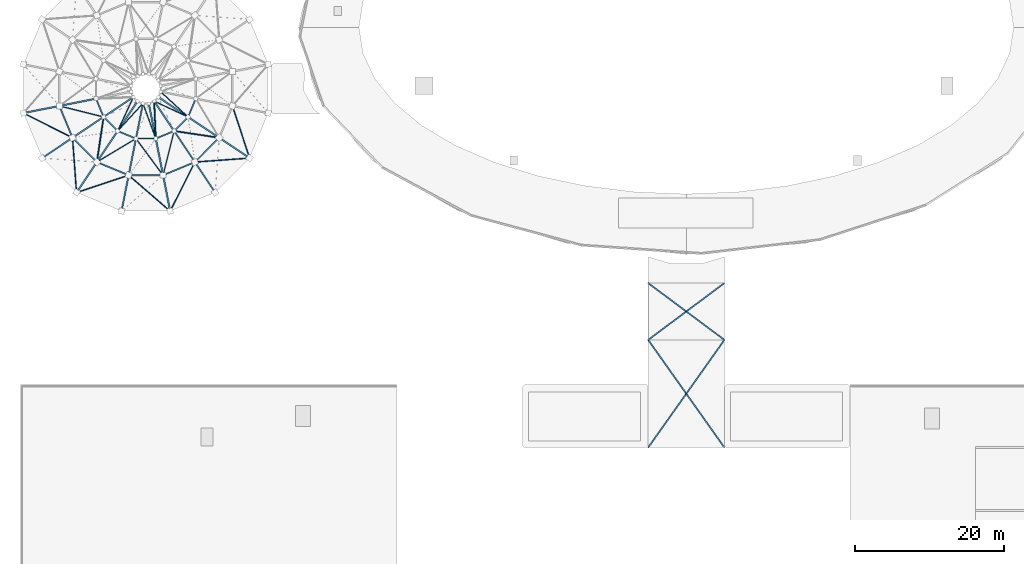
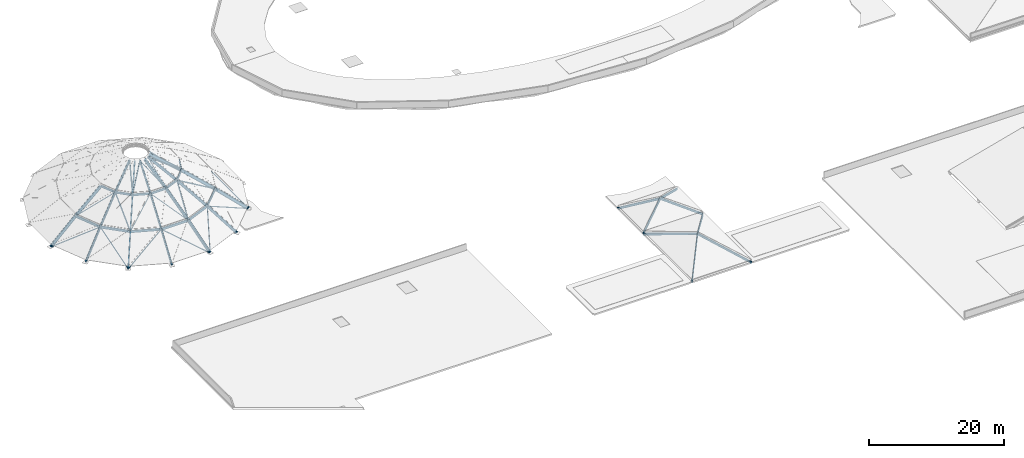
# One storey, part 1 of 11: 47 members, 13 beams.
"""IFC4 building model written with IfcOpenShell, lengths in metres."""

from ifc_helpers import new_model, si_unit, direction, frame, origin, origin_2d, place, context, subcontext, project, spatial, hollow_circle, i_section, extrude, material, material_profile, profile_set, type_object, element, save


model = new_model("IFC4")

# Units and contexts
model_context = context("Model", 3, precision=1e-05, world=origin(), true_north=direction((0.0, 1.0)))
body_context = subcontext(model_context, "Body", "Model", "MODEL_VIEW")
ifc_project = project(units=[si_unit("LENGTHUNIT", "METRE"), si_unit("AREAUNIT", "SQUARE_METRE"), si_unit("VOLUMEUNIT", "CUBIC_METRE"), si_unit("PLANEANGLEUNIT", "RADIAN"), si_unit("MASSUNIT", "GRAM", prefix="KILO"), si_unit("THERMODYNAMICTEMPERATUREUNIT", "KELVIN"), si_unit("POWERUNIT", "WATT")], contexts=[model_context])

# Site, building, storey
site_placement = place(None, origin())
site = spatial("IfcSite", under=ifc_project, at=site_placement, CompositionType="ELEMENT")
building_placement = place(site_placement, origin())
building = spatial("IfcBuilding", under=site, at=building_placement, Name="Darbajah Civic Hall", CompositionType="ELEMENT")
storey_placement = place(building_placement, frame((0.0, 0.0, 30.60009765625)))
storey = spatial("IfcBuildingStorey", under=building, at=storey_placement, Name="ROOF", CompositionType="ELEMENT", Elevation=30.60009765625)

# Members
ifc_material = material(Name="Steel S355JR", Category="steel")
ifc_material_profile_1 = material_profile(ifc_material, hollow_circle(Radius=0.06982421875, WallThickness=0.00634765625, at=origin_2d()), Name="CHS 139.7x6.3")
ifc_profile_set_1 = profile_set([ifc_material_profile_1], Name="Steel S355JR")
member_type_1 = type_object("IfcMemberType", Name="CHS 139.7x6.3", PredefinedType="BRACE", material=ifc_profile_set_1)
member_1_placement = place(storey_placement, frame((5.252685546875, 79.29150390625, -9.2744140625), z_axis=(0.863413874367, -0.215269668173, 0.456262480941), x_axis=(0.24191809863, 0.970296672959, 0.0)))
element("IfcMember", 1, at=member_1_placement, inside=storey, type_object=member_type_1, Name="Council Chamber dome diagonal brace bay 5", PredefinedType="BRACE", context=body_context, shape_type="SweptSolid", body=[
    extrude(hollow_circle(Radius=0.06982421875, WallThickness=0.00634765625, at=origin_2d()), origin(), (0.0, 0.0, 1.0), 6.795654296875),
])
member_2_placement = place(storey_placement, frame((10.248291015625, 71.815185546875, -9.2744140625), z_axis=(0.131528478085, 0.880065992673, 0.456271967135), x_axis=(-0.989015578456, 0.147811317469, 0.0)))
element("IfcMember", 2, at=member_2_placement, inside=storey, type_object=member_type_1, Name="Council Chamber dome diagonal brace bay 5", PredefinedType="BRACE", context=body_context, shape_type="SweptSolid", body=[
    extrude(hollow_circle(Radius=0.06982421875, WallThickness=0.00634765625, at=origin_2d()), origin(), (0.0, 0.0, 1.0), 6.79541015625),
])
for number, where, z_axis, x_axis, name in (
    (3, (10.26708984375, 71.802490234375, -9.2744140625), (0.76274514699, 0.458308126803, 0.456260344156), (-0.515041877714, 0.857165015736, 0.0), "Council Chamber dome diagonal brace bay 6"),
    (4, (19.086181640625, 70.048095703125, -9.2744140625), (-0.529293553105, 0.71531690327, 0.456256575337), (-0.80386390598, -0.594813265371, 0.0), "Council Chamber dome diagonal brace bay 6"),
):
    element("IfcMember", number, at=place(storey_placement, frame(where, z_axis=z_axis, x_axis=x_axis)), inside=storey, type_object=member_type_1, Name=name, PredefinedType="BRACE", context=body_context, shape_type="SweptSolid", body=[
        extrude(hollow_circle(Radius=0.06982421875, WallThickness=0.00634765625, at=origin_2d()), origin(), (0.0, 0.0, 1.0), 6.795654296875),
    ])
member_3_placement = place(storey_placement, frame((19.108642578125, 70.052490234375, -9.2744140625), z_axis=(0.215228730099, 0.863429694408, 0.456251856494), x_axis=(-0.970308511252, 0.241870612088, 0.0)))
element("IfcMember", 5, at=member_3_placement, inside=storey, type_object=member_type_1, Name="Council Chamber dome diagonal brace bay 7", PredefinedType="BRACE", context=body_context, shape_type="SweptSolid", body=[
    extrude(hollow_circle(Radius=0.06982421875, WallThickness=0.00634765625, at=origin_2d()), origin(), (0.0, 0.0, 1.0), 6.7958984375),
])
member_4_placement = place(storey_placement, frame((26.5849609375, 75.048095703125, -9.2744140625), z_axis=(-0.88006993424, 0.131559623594, 0.456255384939), x_axis=(-0.14784490604, -0.989010557961, 0.0)))
element("IfcMember", 6, at=member_4_placement, inside=storey, type_object=member_type_1, Name="Council Chamber dome diagonal brace bay 7", PredefinedType="BRACE", context=body_context, shape_type="SweptSolid", body=[
    extrude(hollow_circle(Radius=0.06982421875, WallThickness=0.00634765625, at=origin_2d()), origin(), (0.0, 0.0, 1.0), 6.795654296875),
])
for number, where, z_axis, x_axis, name in (
    (7, (13.033203125, 75.9697265625, -6.1455078125), (0.369687375159, 0.79410331764, 0.482422186016), (-0.906573941199, 0.422047022427, 0.0), "Council Chamber dome diagonal brace bay 5"),
    (8, (13.039794921875, 75.96533203125, -6.1455078125), (0.592195623062, 0.645416029359, 0.482433926121), (-0.736833179846, 0.676074600231, 0.0), "Council Chamber dome diagonal brace bay 6"),
    (9, (18.11767578125, 74.955322265625, -6.1455078125), (-0.300124548418, 0.822916584044, 0.482424658514), (-0.939469555265, -0.342632390078, 0.0), "Council Chamber dome diagonal brace bay 6"),
    (10, (18.12548828125, 74.95703125, -6.1455078125), (-0.03769429995, 0.875120183389, 0.48243528517), (-0.999073634935, -0.043033382137, 0.0), "Council Chamber dome diagonal brace bay 7"),
    (11, (22.43017578125, 77.833251953125, -6.1455078125), (-0.79410331764, 0.369687375159, 0.482422186016), (-0.422047022427, -0.906573941199, 0.0), "Council Chamber dome diagonal brace bay 7"),
):
    element("IfcMember", number, at=place(storey_placement, frame(where, z_axis=z_axis, x_axis=x_axis)), inside=storey, type_object=member_type_1, Name=name, PredefinedType="BRACE", context=body_context, shape_type="SweptSolid", body=[
        extrude(hollow_circle(Radius=0.06982421875, WallThickness=0.00634765625, at=origin_2d()), origin(), (0.0, 0.0, 1.0), 5.660888671875),
    ])
member_5_placement = place(storey_placement, frame((22.4345703125, 77.83984375, -6.1455078125), z_axis=(-0.645432513593, 0.592167618552, 0.482446247715), x_axis=(-0.676047866937, -0.736857707845, 0.0)))
element("IfcMember", 12, at=member_5_placement, inside=storey, type_object=member_type_1, Name="Council Chamber dome diagonal brace bay 8", PredefinedType="BRACE", context=body_context, shape_type="SweptSolid", body=[
    extrude(hollow_circle(Radius=0.06982421875, WallThickness=0.00634765625, at=origin_2d()), origin(), (0.0, 0.0, 1.0), 5.66064453125),
])
ifc_material_profile_2 = material_profile(ifc_material, hollow_circle(Radius=0.084228515625, WallThickness=0.008056640625, at=origin_2d()), Name="CHS 168.3x8.0")
ifc_profile_set_2 = profile_set([ifc_material_profile_2], Name="Steel S355JR")
member_type_2 = type_object("IfcMemberType", Name="CHS 168.3x8.0", PredefinedType="BRACE", material=ifc_profile_set_2)
for number, where, z_axis, x_axis, name in (
    (13, (0.4443359375, 78.32958984375, -12.587890625), (0.814804177674, -0.409019127009, 0.41084973626), (0.448631949262, 0.893716607265, 0.0), "Council Chamber dome diagonal brace bay 5"),
    (14, (7.51953125, 67.740966796875, -12.587890625), (-0.066085637038, 0.909302973515, 0.410853734233), (-0.997369425277, -0.072486064327, 0.0), "Council Chamber dome diagonal brace bay 5"),
):
    element("IfcMember", number, at=place(storey_placement, frame(where, z_axis=z_axis, x_axis=x_axis)), inside=storey, type_object=member_type_2, Name=name, PredefinedType="BRACE", context=body_context, shape_type="SweptSolid", body=[
        extrude(hollow_circle(Radius=0.084228515625, WallThickness=0.008056640625, at=origin_2d()), origin(), (0.0, 0.0, 1.0), 8.001953125),
    ])
member_6_placement = place(storey_placement, frame((7.547607421875, 67.722412109375, -12.587890625), z_axis=(0.865374032092, 0.286901911845, 0.410871120378), x_axis=(-0.314691211223, 0.949194101108, 0.0)))
element("IfcMember", 15, at=member_6_placement, inside=storey, type_object=member_type_2, Name="Council Chamber dome diagonal brace bay 6", PredefinedType="BRACE", context=body_context, shape_type="SweptSolid", body=[
    extrude(hollow_circle(Radius=0.084228515625, WallThickness=0.008056640625, at=origin_2d()), origin(), (0.0, 0.0, 1.0), 8.00146484375),
])
for number, where, z_axis, x_axis, name in (
    (16, (20.03759765625, 65.23779296875, -12.587890625), (-0.689715843016, 0.596232283652, 0.410851700525), (-0.653977023741, -0.756514409922, 0.0), "Council Chamber dome diagonal brace bay 6"),
    (17, (20.070556640625, 65.244384765625, -12.587890625), (0.409019127009, 0.814804177674, 0.41084973626), (-0.893716607265, 0.448631949262, 0.0), "Council Chamber dome diagonal brace bay 7"),
):
    element("IfcMember", number, at=place(storey_placement, frame(where, z_axis=z_axis, x_axis=x_axis)), inside=storey, type_object=member_type_2, Name=name, PredefinedType="BRACE", context=body_context, shape_type="SweptSolid", body=[
        extrude(hollow_circle(Radius=0.084228515625, WallThickness=0.008056640625, at=origin_2d()), origin(), (0.0, 0.0, 1.0), 8.001953125),
    ])
for number, where, z_axis, x_axis, name in (
    (18, (30.658935546875, 72.319580078125, -12.587890625), (-0.909297689859, -0.066087470513, 0.410865132932), (0.072488483802, -0.997369249434, 0.0), "Council Chamber dome diagonal brace bay 7"),
    (19, (30.677734375, 72.347412109375, -12.587890625), (-0.286922335898, 0.865374118786, 0.410856675372), (-0.949187418716, -0.314711366414, 0.0), "Council Chamber dome diagonal brace bay 8"),
):
    element("IfcMember", number, at=place(storey_placement, frame(where, z_axis=z_axis, x_axis=x_axis)), inside=storey, type_object=member_type_2, Name=name, PredefinedType="BRACE", context=body_context, shape_type="SweptSolid", body=[
        extrude(hollow_circle(Radius=0.084228515625, WallThickness=0.008056640625, at=origin_2d()), origin(), (0.0, 0.0, 1.0), 8.001708984375),
    ])
ifc_material_profile_3 = material_profile(ifc_material, i_section(OverallWidth=0.172119140625, OverallDepth=0.35791015625, WebThickness=0.008056640625, FlangeThickness=0.012939453125, FilletRadius=0.01025390625, at=origin_2d()), Name="UB 356x171x57")
ifc_profile_set_3 = profile_set([ifc_material_profile_3], Name="Steel S355JR")
member_type_3 = type_object("IfcMemberType", Name="Roof Rafter UB 356x171x57", PredefinedType="RAFTER", material=ifc_profile_set_3)
for number, where, z_axis, x_axis, name in (
    (20, (84.0, 48.0, -21.1201171875), (0.753328177312, 0.561299812344, 0.342694000431), (-0.597478902646, 0.801884630663, 0.0), "Lantern hip roof rafter V6-PISH-N-1"),
    (21, (94.199951171875, 48.0, -21.1201171875), (-0.753312580127, 0.561315061021, 0.342703310304), (-0.597497294163, -0.801870926937, 0.0), "Lantern hip roof rafter V6-PISH-N-2"),
    (22, (94.199951171875, 55.60009765625, -21.1201171875), (-0.753312580127, -0.561315061021, 0.342703310304), (0.597497294163, -0.801870926937, 0.0), "Lantern hip roof rafter V6-PISH-N-3"),
    (23, (84.0, 55.60009765625, -21.1201171875), (0.753328177312, -0.561299812344, 0.342694000431), (0.597478902646, 0.801884630663, 0.0), "Lantern hip roof rafter V6-PISH-N-4"),
):
    element("IfcMember", number, at=place(storey_placement, frame(where, z_axis=z_axis, x_axis=x_axis)), inside=storey, type_object=member_type_3, Name=name, PredefinedType="RAFTER", context=body_context, shape_type="SweptSolid", body=[
        extrude(i_section(OverallWidth=0.172119140625, OverallDepth=0.35791015625, WebThickness=0.008056640625, FlangeThickness=0.012939453125, FilletRadius=0.01025390625, at=origin_2d()), origin(), (0.0, 0.0, 1.0), 6.77001953125),
    ])
member_7_placement = place(storey_placement, frame((84.0, 33.60009765625, -21.1201171875), z_axis=(0.554111989659, 0.78225546611, 0.284668734946), x_axis=(-0.816017411583, 0.578027321148, 0.0)))
element("IfcMember", 24, at=member_7_placement, inside=storey, type_object=member_type_3, Name="Lantern hip roof rafter V6-PISH-S-1", PredefinedType="RAFTER", context=body_context, shape_type="SweptSolid", body=[
    extrude(i_section(OverallWidth=0.172119140625, OverallDepth=0.35791015625, WebThickness=0.008056640625, FlangeThickness=0.012939453125, FilletRadius=0.01025390625, at=origin_2d()), origin(), (0.0, 0.0, 1.0), 9.2041015625),
])
for number, where, z_axis, x_axis, name in (
    (25, (94.199951171875, 33.60009765625, -21.1201171875), (-0.554093608336, 0.782266963638, 0.284672918984), (-0.816030463002, -0.578008895651, 0.0), "Lantern hip roof rafter V6-PISH-S-2"),
    (26, (94.199951171875, 48.0, -21.1201171875), (-0.554093608336, -0.782266963638, 0.284672918984), (0.816030463002, -0.578008895651, 0.0), "Lantern hip roof rafter V6-PISH-S-3"),
):
    element("IfcMember", number, at=place(storey_placement, frame(where, z_axis=z_axis, x_axis=x_axis)), inside=storey, type_object=member_type_3, Name=name, PredefinedType="RAFTER", context=body_context, shape_type="SweptSolid", body=[
        extrude(i_section(OverallWidth=0.172119140625, OverallDepth=0.35791015625, WebThickness=0.008056640625, FlangeThickness=0.012939453125, FilletRadius=0.01025390625, at=origin_2d()), origin(), (0.0, 0.0, 1.0), 9.203857421875),
    ])
member_8_placement = place(storey_placement, frame((84.0, 48.0, -21.1201171875), z_axis=(0.554111989659, -0.78225546611, 0.284668734946), x_axis=(0.816017411583, 0.578027321148, 0.0)))
element("IfcMember", 27, at=member_8_placement, inside=storey, type_object=member_type_3, Name="Lantern hip roof rafter V6-PISH-S-4", PredefinedType="RAFTER", context=body_context, shape_type="SweptSolid", body=[
    extrude(i_section(OverallWidth=0.172119140625, OverallDepth=0.35791015625, WebThickness=0.008056640625, FlangeThickness=0.012939453125, FilletRadius=0.01025390625, at=origin_2d()), origin(), (0.0, 0.0, 1.0), 9.2041015625),
])
ifc_material_profile_4 = material_profile(ifc_material, i_section(OverallWidth=0.1904296875, OverallDepth=0.45703125, WebThickness=0.009033203125, FlangeThickness=0.014404296875, FilletRadius=0.01025390625, at=origin_2d()), Name="UB 457x191x74")
ifc_profile_set_4 = profile_set([ifc_material_profile_4], Name="Steel S355JR")
member_type_4 = type_object("IfcMemberType", Name="Roof Rafter UB 457x191x74", PredefinedType="RAFTER", material=ifc_profile_set_4)
member_9_placement = place(storey_placement, frame((2.927490234375, 72.330810546875, -12.5888671875), z_axis=(0.688911356526, 0.460313131635, 0.559922283619), x_axis=(-0.555567963257, 0.831471128905, 0.0)))
element("IfcMember", 28, at=member_9_placement, inside=storey, type_object=member_type_4, Name="Council Chamber dome meridian rib 10.1", PredefinedType="RAFTER", context=body_context, shape_type="SweptSolid", body=[
    extrude(i_section(OverallWidth=0.1904296875, OverallDepth=0.45703125, WebThickness=0.009033203125, FlangeThickness=0.014404296875, FilletRadius=0.01025390625, at=origin_2d()), origin(), (0.0, 0.0, 1.0), 5.875),
])
member_10_placement = place(storey_placement, frame((7.002685546875, 75.0537109375, -9.277587890625), z_axis=(0.704883813729, 0.470992253234, 0.530382038285), x_axis=(-0.555573451512, 0.831467461766, 0.0)))
element("IfcMember", 29, at=member_10_placement, inside=storey, type_object=member_type_4, Name="Council Chamber dome meridian rib 10.2", PredefinedType="RAFTER", context=body_context, shape_type="SweptSolid", body=[
    extrude(i_section(OverallWidth=0.1904296875, OverallDepth=0.45703125, WebThickness=0.009033203125, FlangeThickness=0.014404296875, FilletRadius=0.01025390625, at=origin_2d()), origin(), (0.0, 0.0, 1.0), 5.85791015625),
])
member_11_placement = place(storey_placement, frame((11.160400390625, 77.831787109375, -6.150146484375), z_axis=(0.720827354847, 0.481617488353, 0.49845011728), x_axis=(-0.555551132035, 0.831482374855, 0.0)))
element("IfcMember", 30, at=member_11_placement, inside=storey, type_object=member_type_4, Name="Council Chamber dome meridian rib 10.3", PredefinedType="RAFTER", context=body_context, shape_type="SweptSolid", body=[
    extrude(i_section(OverallWidth=0.1904296875, OverallDepth=0.45703125, WebThickness=0.009033203125, FlangeThickness=0.014404296875, FilletRadius=0.01025390625, at=origin_2d()), origin(), (0.0, 0.0, 1.0), 5.4970703125),
])
member_12_placement = place(storey_placement, frame((13.544921875, 65.236328125, -12.5888671875), z_axis=(0.161651883082, 0.81262276958, 0.559922229472), x_axis=(-0.980782702091, 0.195103283617, 0.0)))
element("IfcMember", 31, at=member_12_placement, inside=storey, type_object=member_type_4, Name="Council Chamber dome meridian rib 12.1", PredefinedType="RAFTER", context=body_context, shape_type="SweptSolid", body=[
    extrude(i_section(OverallWidth=0.1904296875, OverallDepth=0.45703125, WebThickness=0.009033203125, FlangeThickness=0.014404296875, FilletRadius=0.01025390625, at=origin_2d()), origin(), (0.0, 0.0, 1.0), 5.875),
])
member_13_placement = place(storey_placement, frame((14.501220703125, 70.043212890625, -9.277587890625), z_axis=(0.165411412036, 0.831474699301, 0.530366749702), x_axis=(-0.980780583025, 0.195113935844, 0.0)))
element("IfcMember", 32, at=member_13_placement, inside=storey, type_object=member_type_4, Name="Council Chamber dome meridian rib 12.2", PredefinedType="RAFTER", context=body_context, shape_type="SweptSolid", body=[
    extrude(i_section(OverallWidth=0.1904296875, OverallDepth=0.45703125, WebThickness=0.009033203125, FlangeThickness=0.014404296875, FilletRadius=0.01025390625, at=origin_2d()), origin(), (0.0, 0.0, 1.0), 5.858154296875),
])
member_14_placement = place(storey_placement, frame((15.476806640625, 74.94775390625, -6.150146484375), z_axis=(0.169134056058, 0.850245072249, 0.49847466154), x_axis=(-0.980783118211, 0.195101191775, 0.0)))
element("IfcMember", 33, at=member_14_placement, inside=storey, type_object=member_type_4, Name="Council Chamber dome meridian rib 12.3", PredefinedType="RAFTER", context=body_context, shape_type="SweptSolid", body=[
    extrude(i_section(OverallWidth=0.1904296875, OverallDepth=0.45703125, WebThickness=0.009033203125, FlangeThickness=0.014404296875, FilletRadius=0.01025390625, at=origin_2d()), origin(), (0.0, 0.0, 1.0), 5.496826171875),
])
member_15_placement = place(storey_placement, frame((26.0693359375, 67.7275390625, -12.5888671875), z_axis=(-0.460313131635, 0.688911356526, 0.559922283619), x_axis=(-0.831471128905, -0.555567963257, 0.0)))
element("IfcMember", 34, at=member_15_placement, inside=storey, type_object=member_type_4, Name="Council Chamber dome meridian rib 14.1", PredefinedType="RAFTER", context=body_context, shape_type="SweptSolid", body=[
    extrude(i_section(OverallWidth=0.1904296875, OverallDepth=0.45703125, WebThickness=0.009033203125, FlangeThickness=0.014404296875, FilletRadius=0.01025390625, at=origin_2d()), origin(), (0.0, 0.0, 1.0), 5.875),
])
member_16_placement = place(storey_placement, frame((23.34619140625, 71.802734375, -9.277587890625), z_axis=(-0.47095982061, 0.704897650086, 0.530392449299), x_axis=(-0.831490171389, -0.55553946294, 0.0)))
element("IfcMember", 35, at=member_16_placement, inside=storey, type_object=member_type_4, Name="Council Chamber dome meridian rib 14.2", PredefinedType="RAFTER", context=body_context, shape_type="SweptSolid", body=[
    extrude(i_section(OverallWidth=0.1904296875, OverallDepth=0.45703125, WebThickness=0.009033203125, FlangeThickness=0.014404296875, FilletRadius=0.01025390625, at=origin_2d()), origin(), (0.0, 0.0, 1.0), 5.85791015625),
])
member_17_placement = place(storey_placement, frame((20.568359375, 75.96044921875, -6.150146484375), z_axis=(-0.481667017974, 0.720790597943, 0.498455411961), x_axis=(-0.831442895073, -0.555610216099, 0.0)))
element("IfcMember", 36, at=member_17_placement, inside=storey, type_object=member_type_4, Name="Council Chamber dome meridian rib 14.3", PredefinedType="RAFTER", context=body_context, shape_type="SweptSolid", body=[
    extrude(i_section(OverallWidth=0.1904296875, OverallDepth=0.45703125, WebThickness=0.009033203125, FlangeThickness=0.014404296875, FilletRadius=0.01025390625, at=origin_2d()), origin(), (0.0, 0.0, 1.0), 5.4970703125),
])
ifc_material_profile_5 = material_profile(ifc_material, i_section(OverallWidth=0.209228515625, OverallDepth=0.533203125, WebThickness=0.010009765625, FlangeThickness=0.015625, FilletRadius=0.0126953125, at=origin_2d()), Name="UB 533x210x92")
ifc_profile_set_5 = profile_set([ifc_material_profile_5], Name="Steel S355JR")
member_type_5 = type_object("IfcMemberType", Name="Roof Rafter UB 533x210x92", PredefinedType="RAFTER", material=ifc_profile_set_5)
member_18_placement = place(storey_placement, frame((0.436279296875, 78.344970703125, -12.5888671875), z_axis=(0.81262276958, 0.161651883082, 0.559922229472), x_axis=(-0.195103283617, 0.980782702091, 0.0)))
element("IfcMember", 37, at=member_18_placement, inside=storey, type_object=member_type_5, Name="Council Chamber dome meridian rib 9.1", PredefinedType="RAFTER", context=body_context, shape_type="SweptSolid", body=[
    extrude(i_section(OverallWidth=0.209228515625, OverallDepth=0.533203125, WebThickness=0.010009765625, FlangeThickness=0.015625, FilletRadius=0.0126953125, at=origin_2d()), origin(), (0.0, 0.0, 1.0), 5.875),
])
member_19_placement = place(storey_placement, frame((5.243408203125, 79.30126953125, -9.277587890625), z_axis=(0.831467566941, 0.165376606798, 0.530388784807), x_axis=(-0.195076052864, 0.980788118606, 0.0)))
element("IfcMember", 38, at=member_19_placement, inside=storey, type_object=member_type_5, Name="Council Chamber dome meridian rib 9.2", PredefinedType="RAFTER", context=body_context, shape_type="SweptSolid", body=[
    extrude(i_section(OverallWidth=0.209228515625, OverallDepth=0.533203125, WebThickness=0.010009765625, FlangeThickness=0.015625, FilletRadius=0.0126953125, at=origin_2d()), origin(), (0.0, 0.0, 1.0), 5.85791015625),
])
member_20_placement = place(storey_placement, frame((7.53076171875, 67.7275390625, -12.5888671875), z_axis=(0.460313131635, 0.688911356526, 0.559922283619), x_axis=(-0.831471128905, 0.555567963257, 0.0)))
element("IfcMember", 39, at=member_20_placement, inside=storey, type_object=member_type_5, Name="Council Chamber dome meridian rib 11.1", PredefinedType="RAFTER", context=body_context, shape_type="SweptSolid", body=[
    extrude(i_section(OverallWidth=0.209228515625, OverallDepth=0.533203125, WebThickness=0.010009765625, FlangeThickness=0.015625, FilletRadius=0.0126953125, at=origin_2d()), origin(), (0.0, 0.0, 1.0), 5.875),
])
member_21_placement = place(storey_placement, frame((10.253662109375, 71.802734375, -9.277587890625), z_axis=(0.470992253234, 0.704883813729, 0.530382038285), x_axis=(-0.831467461766, 0.555573451512, 0.0)))
element("IfcMember", 40, at=member_21_placement, inside=storey, type_object=member_type_5, Name="Council Chamber dome meridian rib 11.2", PredefinedType="RAFTER", context=body_context, shape_type="SweptSolid", body=[
    extrude(i_section(OverallWidth=0.209228515625, OverallDepth=0.533203125, WebThickness=0.010009765625, FlangeThickness=0.015625, FilletRadius=0.0126953125, at=origin_2d()), origin(), (0.0, 0.0, 1.0), 5.85791015625),
])
member_22_placement = place(storey_placement, frame((13.03173828125, 75.96044921875, -6.150146484375), z_axis=(0.481632907265, 0.720806017336, 0.498466075086), x_axis=(-0.831466561998, 0.555574798096, 0.0)))
element("IfcMember", 41, at=member_22_placement, inside=storey, type_object=member_type_5, Name="Council Chamber dome meridian rib 11.3", PredefinedType="RAFTER", context=body_context, shape_type="SweptSolid", body=[
    extrude(i_section(OverallWidth=0.209228515625, OverallDepth=0.533203125, WebThickness=0.010009765625, FlangeThickness=0.015625, FilletRadius=0.0126953125, at=origin_2d()), origin(), (0.0, 0.0, 1.0), 5.496826171875),
])
member_23_placement = place(storey_placement, frame((20.054931640625, 65.236328125, -12.5888671875), z_axis=(-0.161651883082, 0.81262276958, 0.559922229472), x_axis=(-0.980782702091, -0.195103283617, 0.0)))
element("IfcMember", 42, at=member_23_placement, inside=storey, type_object=member_type_5, Name="Council Chamber dome meridian rib 13.1", PredefinedType="RAFTER", context=body_context, shape_type="SweptSolid", body=[
    extrude(i_section(OverallWidth=0.209228515625, OverallDepth=0.533203125, WebThickness=0.010009765625, FlangeThickness=0.015625, FilletRadius=0.0126953125, at=origin_2d()), origin(), (0.0, 0.0, 1.0), 5.875),
])
member_24_placement = place(storey_placement, frame((19.098876953125, 70.043212890625, -9.277587890625), z_axis=(-0.165411412036, 0.831474699301, 0.530366749702), x_axis=(-0.980780583025, -0.195113935844, 0.0)))
element("IfcMember", 43, at=member_24_placement, inside=storey, type_object=member_type_5, Name="Council Chamber dome meridian rib 13.2", PredefinedType="RAFTER", context=body_context, shape_type="SweptSolid", body=[
    extrude(i_section(OverallWidth=0.209228515625, OverallDepth=0.533203125, WebThickness=0.010009765625, FlangeThickness=0.015625, FilletRadius=0.0126953125, at=origin_2d()), origin(), (0.0, 0.0, 1.0), 5.858154296875),
])
member_25_placement = place(storey_placement, frame((18.123291015625, 74.94775390625, -6.150146484375), z_axis=(-0.169134056058, 0.850245072249, 0.49847466154), x_axis=(-0.980783118211, -0.195101191775, 0.0)))
element("IfcMember", 44, at=member_25_placement, inside=storey, type_object=member_type_5, Name="Council Chamber dome meridian rib 13.3", PredefinedType="RAFTER", context=body_context, shape_type="SweptSolid", body=[
    extrude(i_section(OverallWidth=0.209228515625, OverallDepth=0.533203125, WebThickness=0.010009765625, FlangeThickness=0.015625, FilletRadius=0.0126953125, at=origin_2d()), origin(), (0.0, 0.0, 1.0), 5.496826171875),
])
member_26_placement = place(storey_placement, frame((30.672607421875, 72.330810546875, -12.5888671875), z_axis=(-0.688933189032, 0.460299953852, 0.559906254238), x_axis=(-0.555544795428, -0.831486608595, 0.0)))
element("IfcMember", 45, at=member_26_placement, inside=storey, type_object=member_type_5, Name="Council Chamber dome meridian rib 15.1", PredefinedType="RAFTER", context=body_context, shape_type="SweptSolid", body=[
    extrude(i_section(OverallWidth=0.209228515625, OverallDepth=0.533203125, WebThickness=0.010009765625, FlangeThickness=0.015625, FilletRadius=0.0126953125, at=origin_2d()), origin(), (0.0, 0.0, 1.0), 5.875244140625),
])
member_27_placement = place(storey_placement, frame((26.59716796875, 75.0537109375, -9.277587890625), z_axis=(-0.704883813729, 0.470992253234, 0.530382038285), x_axis=(-0.555573451512, -0.831467461766, 0.0)))
element("IfcMember", 46, at=member_27_placement, inside=storey, type_object=member_type_5, Name="Council Chamber dome meridian rib 15.2", PredefinedType="RAFTER", context=body_context, shape_type="SweptSolid", body=[
    extrude(i_section(OverallWidth=0.209228515625, OverallDepth=0.533203125, WebThickness=0.010009765625, FlangeThickness=0.015625, FilletRadius=0.0126953125, at=origin_2d()), origin(), (0.0, 0.0, 1.0), 5.85791015625),
])
member_28_placement = place(storey_placement, frame((22.439697265625, 77.831787109375, -6.150146484375), z_axis=(-0.720827354847, 0.481617488353, 0.49845011728), x_axis=(-0.555551132035, -0.831482374855, 0.0)))
element("IfcMember", 47, at=member_28_placement, inside=storey, type_object=member_type_5, Name="Council Chamber dome meridian rib 15.3", PredefinedType="RAFTER", context=body_context, shape_type="SweptSolid", body=[
    extrude(i_section(OverallWidth=0.209228515625, OverallDepth=0.533203125, WebThickness=0.010009765625, FlangeThickness=0.015625, FilletRadius=0.0126953125, at=origin_2d()), origin(), (0.0, 0.0, 1.0), 5.4970703125),
])

# Beams
ifc_material_profile_6 = material_profile(ifc_material, i_section(OverallWidth=0.172119140625, OverallDepth=0.35791015625, WebThickness=0.008056640625, FlangeThickness=0.012939453125, FilletRadius=0.01025390625, at=origin_2d()), Name="UB 356x171x57")
ifc_profile_set_6 = profile_set([ifc_material_profile_6], Name="Steel S355JR")
beam_type_1 = type_object("IfcBeamType", Name="UB 356x171x57", PredefinedType="BEAM", material=ifc_profile_set_6)
beam_1_placement = place(storey_placement, frame((10.138427734375, 80.2548828125, -6.16015625), z_axis=(0.38259109052, -0.92391777635, 0.0), x_axis=(0.92391777635, 0.38259109052, 0.0)))
element("IfcBeam", 48, at=beam_1_placement, inside=storey, type_object=beam_type_1, Name="Dome Hoop Ring 2 segment 9", PredefinedType="BEAM", context=body_context, shape_type="SweptSolid", body=[
    extrude(i_section(OverallWidth=0.172119140625, OverallDepth=0.35791015625, WebThickness=0.008056640625, FlangeThickness=0.012939453125, FilletRadius=0.01025390625, at=origin_2d()), origin(), (0.0, 0.0, 1.0), 2.613037109375),
])
beam_2_placement = place(storey_placement, frame((11.16015625, 77.80810546875, -6.16015625), z_axis=(0.707106781187, -0.707106781187, 0.0), x_axis=(0.707106781187, 0.707106781187, 0.0)))
element("IfcBeam", 49, at=beam_2_placement, inside=storey, type_object=beam_type_1, Name="Dome Hoop Ring 2 segment 10", PredefinedType="BEAM", context=body_context, shape_type="SweptSolid", body=[
    extrude(i_section(OverallWidth=0.172119140625, OverallDepth=0.35791015625, WebThickness=0.008056640625, FlangeThickness=0.012939453125, FilletRadius=0.01025390625, at=origin_2d()), origin(), (0.0, 0.0, 1.0), 2.61328125),
])
beam_3_placement = place(storey_placement, frame((13.04052734375, 75.938232421875, -6.16015625), z_axis=(0.92391777635, -0.38259109052, 0.0), x_axis=(0.38259109052, 0.92391777635, 0.0)))
element("IfcBeam", 50, at=beam_3_placement, inside=storey, type_object=beam_type_1, Name="Dome Hoop Ring 2 segment 11", PredefinedType="BEAM", context=body_context, shape_type="SweptSolid", body=[
    extrude(i_section(OverallWidth=0.172119140625, OverallDepth=0.35791015625, WebThickness=0.008056640625, FlangeThickness=0.012939453125, FilletRadius=0.01025390625, at=origin_2d()), origin(), (0.0, 0.0, 1.0), 2.613037109375),
])
beam_4_placement = place(storey_placement, frame((15.493408203125, 74.9306640625, -6.16015625), z_axis=(1.0, 0.0, 0.0), x_axis=(0.0, 1.0, 0.0)))
element("IfcBeam", 51, at=beam_4_placement, inside=storey, type_object=beam_type_1, Name="Dome Hoop Ring 2 segment 12", PredefinedType="BEAM", context=body_context, shape_type="SweptSolid", body=[
    extrude(i_section(OverallWidth=0.172119140625, OverallDepth=0.35791015625, WebThickness=0.008056640625, FlangeThickness=0.012939453125, FilletRadius=0.01025390625, at=origin_2d()), origin(), (0.0, 0.0, 1.0), 2.61328125),
])
beam_5_placement = place(storey_placement, frame((18.14501953125, 74.9384765625, -6.16015625), z_axis=(0.92391777635, 0.38259109052, 0.0), x_axis=(-0.38259109052, 0.92391777635, 0.0)))
element("IfcBeam", 52, at=beam_5_placement, inside=storey, type_object=beam_type_1, Name="Dome Hoop Ring 2 segment 13", PredefinedType="BEAM", context=body_context, shape_type="SweptSolid", body=[
    extrude(i_section(OverallWidth=0.172119140625, OverallDepth=0.35791015625, WebThickness=0.008056640625, FlangeThickness=0.012939453125, FilletRadius=0.01025390625, at=origin_2d()), origin(), (0.0, 0.0, 1.0), 2.613037109375),
])
for number, where, z_axis, x_axis, name in (
    (53, (20.592041015625, 75.960205078125, -6.16015625), (0.707106781187, 0.707106781187, 0.0), (-0.707106781187, 0.707106781187, 0.0), "Dome Hoop Ring 2 segment 14"),
    (54, (22.461669921875, 77.840576171875, -6.16015625), (0.382670839347, 0.92388474861, 0.0), (-0.92388474861, 0.382670839347, 0.0), "Dome Hoop Ring 2 segment 15"),
):
    element("IfcBeam", number, at=place(storey_placement, frame(where, z_axis=z_axis, x_axis=x_axis)), inside=storey, type_object=beam_type_1, Name=name, PredefinedType="BEAM", context=body_context, shape_type="SweptSolid", body=[
        extrude(i_section(OverallWidth=0.172119140625, OverallDepth=0.35791015625, WebThickness=0.008056640625, FlangeThickness=0.012939453125, FilletRadius=0.01025390625, at=origin_2d()), origin(), (0.0, 0.0, 1.0), 2.61328125),
    ])
ifc_material_profile_7 = material_profile(ifc_material, i_section(OverallWidth=0.177978515625, OverallDepth=0.406494140625, WebThickness=0.0078125, FlangeThickness=0.0126953125, FilletRadius=0.01025390625, at=origin_2d()), Name="UB 406x178x60")
ifc_profile_set_7 = profile_set([ifc_material_profile_7], Name="Steel S355JR")
beam_type_2 = type_object("IfcBeamType", Name="UB 406x178x60", PredefinedType="BEAM", material=ifc_profile_set_7)
beam_6_placement = place(storey_placement, frame((5.234375, 79.279296875, -9.2880859375), z_axis=(0.382688800239, -0.923877309047, 0.0), x_axis=(0.923877309047, 0.382688800239, 0.0)))
element("IfcBeam", 55, at=beam_6_placement, inside=storey, type_object=beam_type_2, Name="Dome Hoop Ring 1 segment 9", PredefinedType="BEAM", context=body_context, shape_type="SweptSolid", body=[
    extrude(i_section(OverallWidth=0.177978515625, OverallDepth=0.406494140625, WebThickness=0.0078125, FlangeThickness=0.0126953125, FilletRadius=0.01025390625, at=origin_2d()), origin(), (0.0, 0.0, 1.0), 4.56396484375),
])
beam_7_placement = place(storey_placement, frame((7.002685546875, 75.0302734375, -9.2880859375), z_axis=(0.707106781187, -0.707106781187, 0.0), x_axis=(0.707106781187, 0.707106781187, 0.0)))
element("IfcBeam", 56, at=beam_7_placement, inside=storey, type_object=beam_type_2, Name="Dome Hoop Ring 1 segment 10", PredefinedType="BEAM", context=body_context, shape_type="SweptSolid", body=[
    extrude(i_section(OverallWidth=0.177978515625, OverallDepth=0.406494140625, WebThickness=0.0078125, FlangeThickness=0.0126953125, FilletRadius=0.01025390625, at=origin_2d()), origin(), (0.0, 0.0, 1.0), 4.564453125),
])
for number, where, z_axis, x_axis, name in (
    (57, (10.2626953125, 71.781005859375, -9.2880859375), (0.923885142552, -0.382669888248, 0.0), (0.382669888248, 0.923885142552, 0.0), "Dome Hoop Ring 1 segment 11"),
    (58, (14.517822265625, 70.026611328125, -9.2880859375), (1.0, 0.0, 0.0), (0.0, 1.0, 0.0), "Dome Hoop Ring 1 segment 12"),
):
    element("IfcBeam", number, at=place(storey_placement, frame(where, z_axis=z_axis, x_axis=x_axis)), inside=storey, type_object=beam_type_2, Name=name, PredefinedType="BEAM", context=body_context, shape_type="SweptSolid", body=[
        extrude(i_section(OverallWidth=0.177978515625, OverallDepth=0.406494140625, WebThickness=0.0078125, FlangeThickness=0.0126953125, FilletRadius=0.01025390625, at=origin_2d()), origin(), (0.0, 0.0, 1.0), 4.564208984375),
    ])
beam_8_placement = place(storey_placement, frame((19.12060546875, 70.034423828125, -9.2880859375), z_axis=(0.923877309047, 0.382688800239, 0.0), x_axis=(-0.382688800239, 0.923877309047, 0.0)))
element("IfcBeam", 59, at=beam_8_placement, inside=storey, type_object=beam_type_2, Name="Dome Hoop Ring 1 segment 13", PredefinedType="BEAM", context=body_context, shape_type="SweptSolid", body=[
    extrude(i_section(OverallWidth=0.177978515625, OverallDepth=0.406494140625, WebThickness=0.0078125, FlangeThickness=0.0126953125, FilletRadius=0.01025390625, at=origin_2d()), origin(), (0.0, 0.0, 1.0), 4.56396484375),
])
beam_9_placement = place(storey_placement, frame((23.369873046875, 71.802734375, -9.2880859375), z_axis=(0.707080035842, 0.707133525519, 0.0), x_axis=(-0.707133525519, 0.707080035842, 0.0)))
element("IfcBeam", 60, at=beam_9_placement, inside=storey, type_object=beam_type_2, Name="Dome Hoop Ring 1 segment 14", PredefinedType="BEAM", context=body_context, shape_type="SweptSolid", body=[
    extrude(i_section(OverallWidth=0.177978515625, OverallDepth=0.406494140625, WebThickness=0.0078125, FlangeThickness=0.0126953125, FilletRadius=0.01025390625, at=origin_2d()), origin(), (0.0, 0.0, 1.0), 4.564208984375),
])

save(model, "model.ifc")
